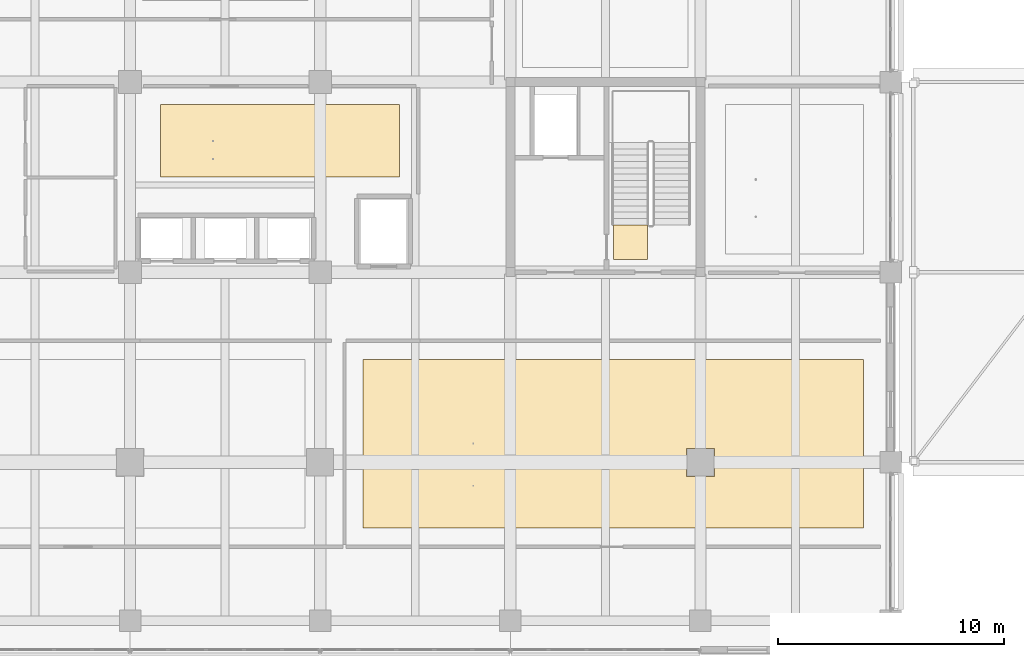
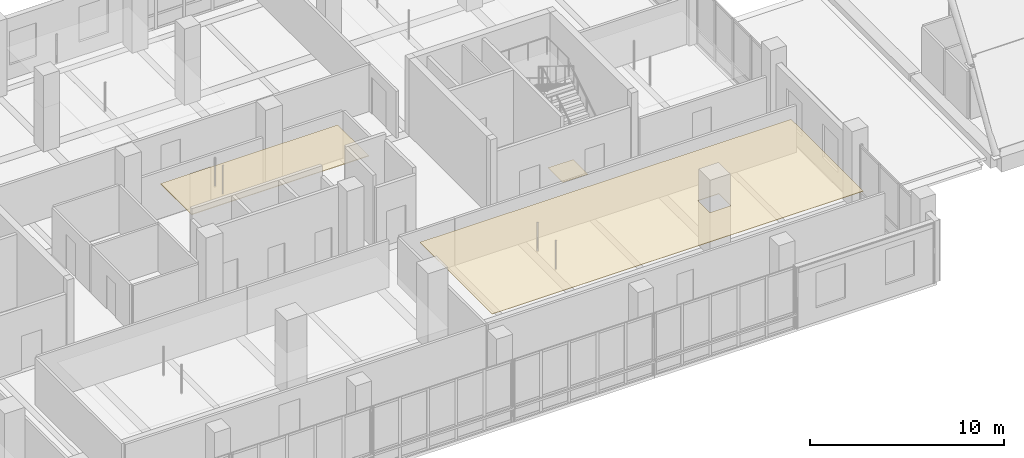
# One storey, part 108 of 128: 3 coverings.
"""IFC4 building model written with IfcOpenShell, lengths in metres."""

from ifc_helpers import new_model, si_unit, direction, frame, origin, place, context, subcontext, project, spatial, polyline, outline, extrude, material, layer, layer_set, type_object, element, save


model = new_model("IFC4")

# Units and contexts
model_context = context("Model", 3, precision=1e-05, world=origin(), true_north=direction((0.0, 1.0)))
body_context = subcontext(model_context, "Body", "Model", "MODEL_VIEW")
ifc_project = project(units=[si_unit("LENGTHUNIT", "METRE"), si_unit("AREAUNIT", "SQUARE_METRE"), si_unit("VOLUMEUNIT", "CUBIC_METRE"), si_unit("PLANEANGLEUNIT", "RADIAN"), si_unit("MASSUNIT", "GRAM", prefix="KILO")], contexts=[model_context])

# Site, building, storey
site_placement = place(None, origin())
site = spatial("IfcSite", under=ifc_project, at=site_placement, CompositionType="ELEMENT")
building_placement = place(site_placement, origin())
building = spatial("IfcBuilding", under=site, at=building_placement, Name="Telukmera Botanical Conservatory", CompositionType="ELEMENT")
storey_placement = place(building_placement, frame((0.0, 0.0, 5.39990234375)))
storey = spatial("IfcBuildingStorey", under=building, at=storey_placement, Name="L01", CompositionType="ELEMENT", Elevation=5.39990234375)

# Coverings
ifc_material_1 = material(Name="Mineral fibre acoustic ceiling")
ifc_layer_1 = layer(ifc_material_1, 0.030029296875)
ifc_layer_set_1 = layer_set([ifc_layer_1], Name="Mineral fibre acoustic ceiling")
covering_type_1 = type_object("IfcCoveringType", Name="COV-CEIL-30", PredefinedType="CEILING", material=ifc_layer_set_1)
covering_1_placement = place(storey_placement, frame((0.0, 0.0, 2.77001953125)))
element("IfcCovering", 1, at=covering_1_placement, inside=storey, type_object=covering_type_1, Name="L01 Floristic Archive Reading Studio Suspended Acoustic Ceiling", PredefinedType="CEILING", context=body_context, shape_type="SweptSolid", body=[
    extrude(outline(polyline([(85.89990234375, 14.699951171875), (108.0, 14.699951171875), (108.0, 22.14990234375), (85.89990234375, 22.14990234375), (85.89990234375, 14.699951171875)]), holes=[polyline([(100.179931640625, 16.97998046875), (101.419921875, 16.97998046875), (101.419921875, 18.219970703125), (100.179931640625, 18.219970703125), (100.179931640625, 16.97998046875)])]), origin(), (0.0, 0.0, 1.0), 0.030029296875),
])
ifc_material_2 = material(Name="Perforated gypsum acoustic ceiling")
ifc_layer_2 = layer(ifc_material_2, 0.0400390625)
ifc_layer_set_2 = layer_set([ifc_layer_2], Name="Perforated gypsum acoustic ceiling")
covering_type_2 = type_object("IfcCoveringType", Name="COV-CEIL-40", PredefinedType="CEILING", material=ifc_layer_set_2)
covering_2_placement = place(storey_placement, frame((0.0, 0.0, 2.760009765625)))
element("IfcCovering", 2, at=covering_2_placement, inside=storey, type_object=covering_type_2, Name="L01 Rare Botanical Folio Room Suspended Acoustic Ceiling", PredefinedType="CEILING", context=body_context, shape_type="SweptSolid", body=[
    extrude(outline(polyline([(76.949951171875, 30.199951171875), (87.5, 30.199951171875), (87.5, 33.39990234375), (76.949951171875, 33.39990234375), (76.949951171875, 30.199951171875)])), origin(), (0.0, 0.0, 1.0), 0.0400390625),
])
ifc_material_3 = material(Name="Honed granite non-slip flooring", Category="masonry")
ifc_layer_3 = layer(ifc_material_3, 0.011962890625)
ifc_layer_set_3 = layer_set([ifc_layer_3], Name="Honed granite non-slip flooring")
covering_type_3 = type_object("IfcCoveringType", Name="COV-FLR-12", PredefinedType="FLOORING", material=ifc_layer_set_3)
covering_3_placement = place(storey_placement, origin())
element("IfcCovering", 3, at=covering_3_placement, inside=storey, type_object=covering_type_3, Name="L01 ST2 Non-Slip Stair Landing Finish", PredefinedType="FLOORING", context=body_context, shape_type="SweptSolid", body=[
    extrude(outline(polyline([(98.449951171875, 26.570068359375), (98.449951171875, 28.0849609375), (96.949951171875, 28.0849609375), (96.949951171875, 26.570068359375), (98.449951171875, 26.570068359375)])), origin(), (0.0, 0.0, 1.0), 0.01220703125),
])

save(model, "model.ifc")
